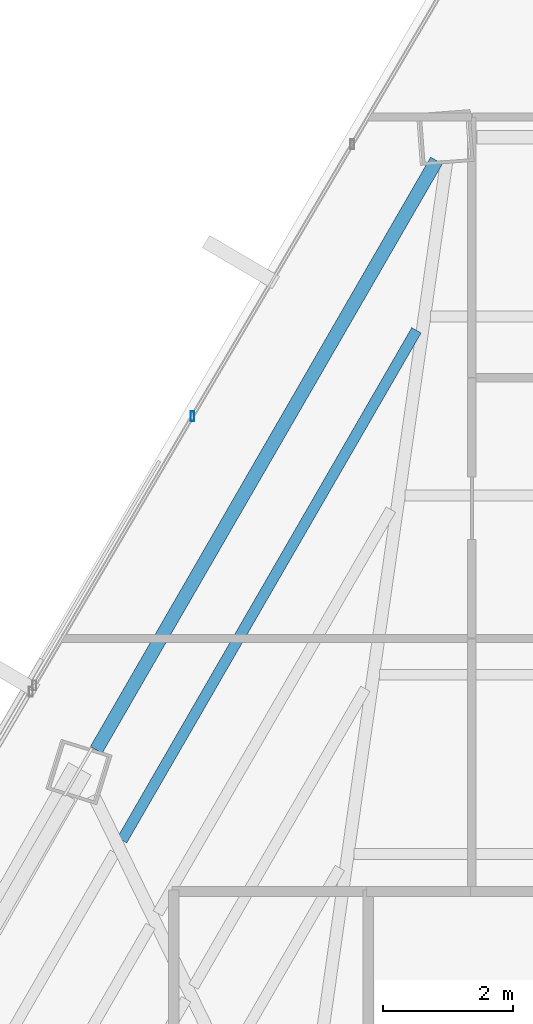
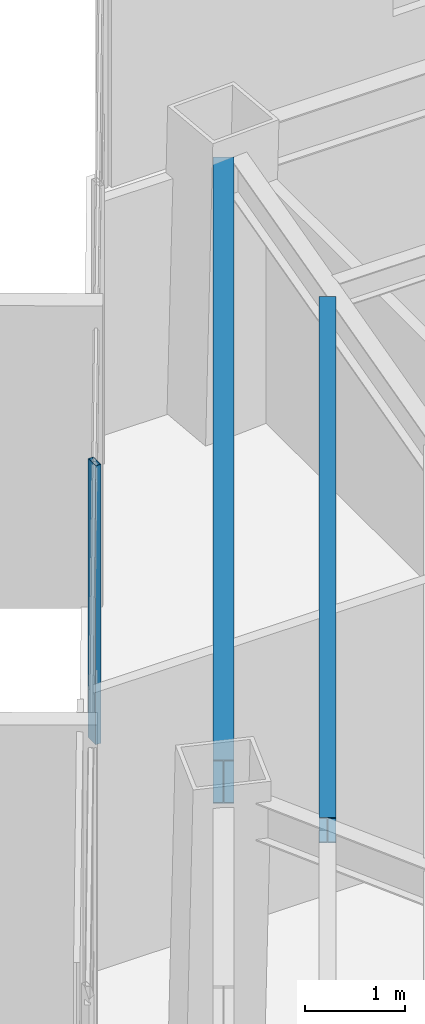
# One storey, part 28 of 44: 2 beams, 1 member, 1 element without a shape of its own.
"""IFC4 building model written with IfcOpenShell, lengths in metres."""

from ifc_helpers import new_model, si_unit, direction, frame, origin, origin_2d, place, context, subcontext, project, spatial, hollow_rectangle, i_section, extrude, source, transform, mapped, material, material_profile, profile_set, type_object, type_shapes, element, aggregate, save


model = new_model("IFC4")

# Units and contexts
model_context = context("Model", 3, precision=1e-05, world=origin(), true_north=direction((0.0, 1.0)))
body_context = subcontext(model_context, "Body", "Model", "MODEL_VIEW")
ifc_project = project(units=[si_unit("LENGTHUNIT", "METRE"), si_unit("AREAUNIT", "SQUARE_METRE"), si_unit("VOLUMEUNIT", "CUBIC_METRE"), si_unit("PLANEANGLEUNIT", "RADIAN"), si_unit("MASSUNIT", "GRAM", prefix="KILO")], contexts=[model_context])

# Site, building, storey
site_placement = place(None, origin())
site = spatial("IfcSite", under=ifc_project, at=site_placement, CompositionType="ELEMENT")
building_placement = place(site_placement, origin())
building = spatial("IfcBuilding", under=site, at=building_placement, Name="Caelisora Broadcast Tower", CompositionType="ELEMENT")
storey_placement = place(building_placement, frame((0.0, 0.0, 198.64990234375)))
storey = spatial("IfcBuildingStorey", under=building, at=storey_placement, Name="L52", CompositionType="ELEMENT", Elevation=198.64990234375)

# Beams
ifc_material_1 = material(Name="Steel Grade 350 (AS/NZS 3679.1)", Category="steel")
ifc_material_profile_1 = material_profile(ifc_material_1, i_section(OverallWidth=0.208984375, OverallDepth=0.532958984375, WebThickness=0.01025390625, FlangeThickness=0.015625, at=origin_2d()), Name="Steel Grade 350 (AS/NZS 3679.1)")
ifc_profile_set_1 = profile_set([ifc_material_profile_1], Name="Steel Grade 350 (AS/NZS 3679.1)")
beam_type_1 = type_object("IfcBeamType", Name="PG05", PredefinedType="BEAM", material=ifc_profile_set_1)
shared_shape_1 = source(origin(), body_context, "Body", "SweptSolid", [
    extrude(i_section(OverallWidth=0.208984375, OverallDepth=0.532958984375, WebThickness=0.01025390625, FlangeThickness=0.015625, at=origin_2d()), origin(), (0.0, 0.0, 1.0), 10.49169921875),
])
type_shapes(beam_type_1, [shared_shape_1])
beam_1_placement = place(storey_placement, frame((32.65380859375, 46.21923828125, 3.133544921875), z_axis=(-0.500005800921, -0.866022054595, 0.0), x_axis=(0.866022054595, -0.500005800921, 0.0)))
element("IfcBeam", 1, at=beam_1_placement, inside=storey, type_object=beam_type_1, Name="L52 beam PG05", PredefinedType="BEAM", context=body_context, shape_type="MappedRepresentation", body=[
    mapped(shared_shape_1, transform((0.0, 0.0, 0.0), scale=1.0)),
])
ifc_material_profile_2 = material_profile(ifc_material_1, i_section(OverallWidth=0.166015625, OverallDepth=0.30712890625, WebThickness=0.006591796875, FlangeThickness=0.01171875, at=origin_2d()), Name="Steel Grade 350 (AS/NZS 3679.1)")
ifc_profile_set_2 = profile_set([ifc_material_profile_2], Name="Steel Grade 350 (AS/NZS 3679.1)")
beam_type_2 = type_object("IfcBeamType", Name="SB03", PredefinedType="JOIST", material=ifc_profile_set_2)
shared_shape_2 = source(origin(), body_context, "Body", "SweptSolid", [
    extrude(i_section(OverallWidth=0.166015625, OverallDepth=0.30712890625, WebThickness=0.006591796875, FlangeThickness=0.01171875, at=origin_2d()), origin(), (0.0, 0.0, 1.0), 9.076171875),
])
type_shapes(beam_type_2, [shared_shape_2])
beam_2_placement = place(storey_placement, frame((32.343994140625, 43.601318359375, 3.24658203125), z_axis=(-0.500004197968, -0.866022980073, 0.0), x_axis=(0.866022980073, -0.500004197968, 0.0)))
element("IfcBeam", 2, at=beam_2_placement, inside=storey, type_object=beam_type_2, Name="L52 beam SB03", PredefinedType="JOIST", context=body_context, shape_type="MappedRepresentation", body=[
    mapped(shared_shape_2, transform((0.0, 0.0, 0.0), scale=1.0)),
])

# Curtain wall, member
ifc_material_2 = material(Name="Unitised Aluminium and Low-E Glass Curtain Wall", Category="glass")
curtain_wall_type = type_object("IfcCurtainWallType", Name="CW-Z4", PredefinedType="NOTDEFINED", material=ifc_material_2)
curtain_wall_placement = place(storey_placement, origin())
curtain_wall = element("IfcCurtainWall", 3, at=curtain_wall_placement, inside=storey, type_object=curtain_wall_type, Name="L52 curtain wall CW-Z4", PredefinedType="NOTDEFINED")
ifc_material_3 = material(Name="Aluminium 6063-T6 Anodised Terracotta Bronze", Category="aluminium")
ifc_material_profile_3 = material_profile(ifc_material_3, hollow_rectangle(XDim=0.06005859375, YDim=0.14990234375, WallThickness=0.00341796875, at=origin_2d()), Name="Aluminium 6063-T6 Anodised Terracotta Bronze")
ifc_profile_set_3 = profile_set([ifc_material_profile_3], Name="Aluminium 6063-T6 Anodised Terracotta Bronze")
member_type = type_object("IfcMemberType", Name="CWM-03", PredefinedType="MULLION", material=ifc_profile_set_3)
shared_shape_3 = source(origin(), body_context, "Body", "SweptSolid", [
    extrude(hollow_rectangle(XDim=0.06005859375, YDim=0.14990234375, WallThickness=0.00341796875, at=origin_2d()), origin(), (0.0, 0.0, 1.0), 3.400146484375),
])
type_shapes(member_type, [shared_shape_3])
member_placement = place(storey_placement, frame((28.8916015625, 42.275390625, 0.0), z_axis=(0.0, 0.0, 1.0), x_axis=(1.0, 0.0, 0.0)))
member = element("IfcMember", 4, at=member_placement, type_object=member_type, Name="L52-CW-B11 mullion #1", PredefinedType="MULLION", context=body_context, shape_type="MappedRepresentation", body=[
    mapped(shared_shape_3, transform((0.0, 0.0, 0.0), scale=1.0)),
])
aggregate(curtain_wall, [member])

save(model, "model.ifc")
